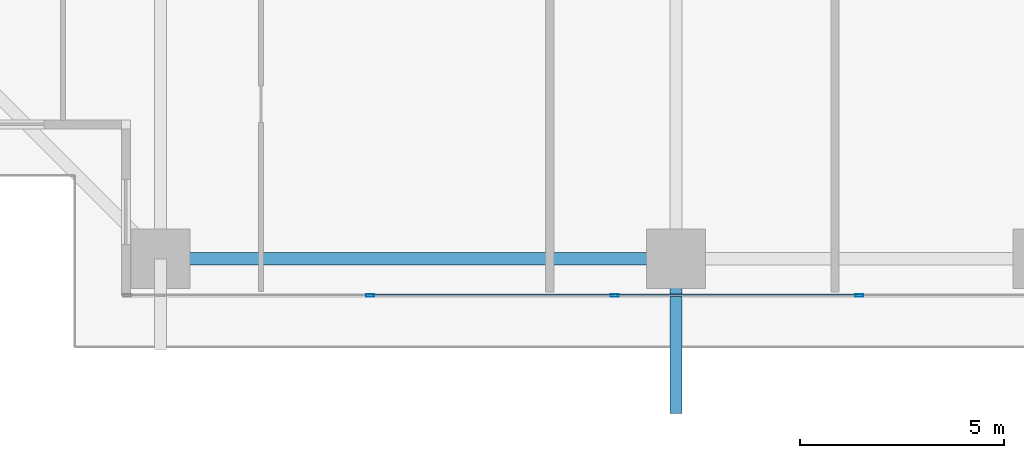
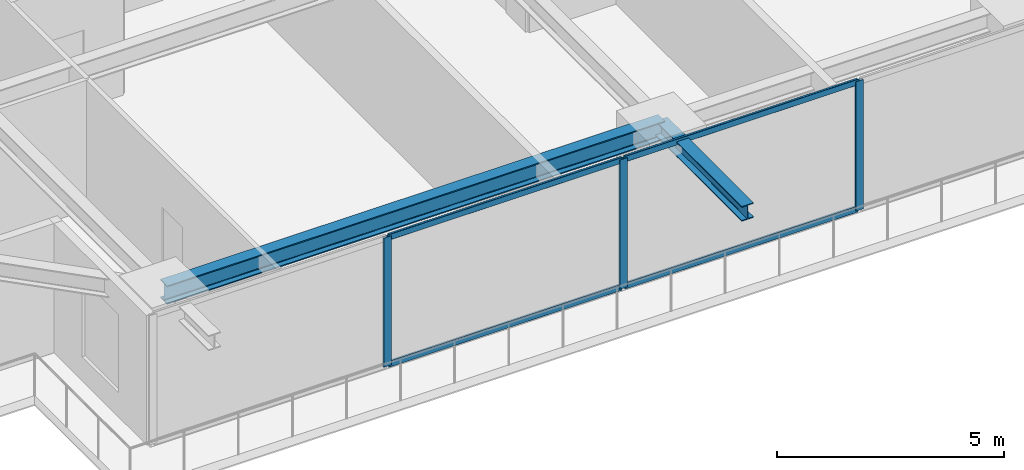
# One storey, part 4 of 35: 7 members, 2 beams, 1 element without a shape of its own.
"""IFC4 building model written with IfcOpenShell, lengths in metres."""

from ifc_helpers import new_model, si_unit, direction, frame, origin, origin_2d, place, context, subcontext, project, spatial, hollow_rectangle, i_section, extrude, source, transform, mapped, material, layer, layer_set, material_profile, profile_set, type_object, element, aggregate, save


model = new_model("IFC4")

# Units and contexts
model_context = context("Model", 3, precision=1e-05, world=origin(), true_north=direction((0.0, 1.0)))
body_context = subcontext(model_context, "Body", "Model", "MODEL_VIEW")
ifc_project = project(units=[si_unit("LENGTHUNIT", "METRE"), si_unit("AREAUNIT", "SQUARE_METRE"), si_unit("VOLUMEUNIT", "CUBIC_METRE"), si_unit("PLANEANGLEUNIT", "RADIAN"), si_unit("MASSUNIT", "GRAM", prefix="KILO")], contexts=[model_context])

# Site, building, storey
site_placement = place(None, origin())
site = spatial("IfcSite", under=ifc_project, at=site_placement, CompositionType="ELEMENT")
building_placement = place(site_placement, origin())
building = spatial("IfcBuilding", under=site, at=building_placement, Name="Serunith Strait Residences", CompositionType="ELEMENT")
storey_placement = place(building_placement, frame((0.0, 0.0, 56.699951171875)))
storey = spatial("IfcBuildingStorey", under=building, at=storey_placement, Name="L13", CompositionType="ELEMENT", Elevation=56.699951171875)

# Beams
ifc_material_1 = material(Name="Steel S355J2", Category="steel")
ifc_material_profile_1 = material_profile(ifc_material_1, i_section(OverallWidth=0.300048828125, OverallDepth=0.5, WebThickness=0.014404296875, FlangeThickness=0.028076171875, FilletRadius=0.027099609375, at=origin_2d()), Name="HEB 500")
ifc_profile_set_1 = profile_set([ifc_material_profile_1], Name="Steel S355J2")
beam_type_1 = type_object("IfcBeamType", Name="BM-HEB500", PredefinedType="BEAM", material=ifc_profile_set_1)
shared_shape_1 = source(origin(), body_context, "Body", "SweptSolid", [
    extrude(i_section(OverallWidth=0.300048828125, OverallDepth=0.5, WebThickness=0.014404296875, FlangeThickness=0.028076171875, FilletRadius=0.027099609375, at=origin_2d()), origin(), (0.0, 0.0, 1.0), 12.64990234375),
])
beam_1_placement = place(storey_placement, frame((15.25, 1.10009765625, 3.237060546875), z_axis=(1.0, 0.0, 0.0), x_axis=(0.0, 1.0, 0.0)))
element("IfcBeam", 1, at=beam_1_placement, inside=storey, type_object=beam_type_1, Name="L13 Perimeter Ring Beam 01", PredefinedType="BEAM", context=body_context, shape_type="MappedRepresentation", body=[
    mapped(shared_shape_1, transform((0.0, 0.0, 0.0), scale=1.0)),
])
ifc_material_profile_2 = material_profile(ifc_material_1, i_section(OverallWidth=0.300048828125, OverallDepth=0.39990234375, WebThickness=0.013427734375, FlangeThickness=0.02392578125, FilletRadius=0.027099609375, at=origin_2d()), Name="HEB 400")
ifc_profile_set_2 = profile_set([ifc_material_profile_2], Name="Steel S355J2")
beam_type_2 = type_object("IfcBeamType", Name="BM-HEB400", PredefinedType="BEAM", material=ifc_profile_set_2)
shared_shape_2 = source(origin(), body_context, "Body", "SweptSolid", [
    extrude(i_section(OverallWidth=0.300048828125, OverallDepth=0.39990234375, WebThickness=0.013427734375, FlangeThickness=0.02392578125, FilletRadius=0.027099609375, at=origin_2d()), origin(), (0.0, 0.0, 1.0), 3.800048828125),
])
beam_2_placement = place(storey_placement, frame((27.89990234375, 1.10009765625, 3.257080078125), z_axis=(0.0, -1.0, 0.0), x_axis=(1.0, 0.0, 0.0)))
element("IfcBeam", 2, at=beam_2_placement, inside=storey, type_object=beam_type_2, Name="L14 Cantilevered Balcony Rib TC-S2", PredefinedType="BEAM", context=body_context, shape_type="MappedRepresentation", body=[
    mapped(shared_shape_2, transform((0.0, 0.0, 0.0), scale=1.0)),
])

# Curtain wall, members
ifc_material_2 = material(Name="Pale-Champagne Anodised Aluminium", Category="aluminium")
ifc_layer = layer(ifc_material_2, 0.199951171875, Name="Pale-Champagne Anodised Aluminium")
ifc_layer_set = layer_set([ifc_layer], Name="Pale-Champagne Anodised Aluminium")
curtain_wall_type = type_object("IfcCurtainWallType", Name="CW-SYS1", PredefinedType="NOTDEFINED", material=ifc_layer_set)
curtain_wall_placement = place(storey_placement, origin())
curtain_wall = element("IfcCurtainWall", 3, at=curtain_wall_placement, inside=storey, type_object=curtain_wall_type, Name="L13 S Unitised Fritted Curtain Wall", PredefinedType="NOTDEFINED")
ifc_material_profile_3 = material_profile(ifc_material_2, hollow_rectangle(XDim=0.070068359375, YDim=0.199951171875, WallThickness=0.00390625, InnerFilletRadius=0.006103515625, OuterFilletRadius=0.010009765625, at=origin_2d()), Name="ALU 200x70x4")
ifc_profile_set_3 = profile_set([ifc_material_profile_3], Name="Pale-Champagne Anodised Aluminium")
member_type_1 = type_object("IfcMemberType", Name="CW-SYS1-MULL", PredefinedType="MULLION", material=ifc_profile_set_3)
shared_shape_3 = source(origin(), body_context, "Body", "SweptSolid", [
    extrude(hollow_rectangle(XDim=0.070068359375, YDim=0.199951171875, WallThickness=0.00390625, InnerFilletRadius=0.006103515625, OuterFilletRadius=0.010009765625, at=origin_2d()), origin(), (0.0, 0.0, 1.0), 3.47509765625),
])
member_1_placement = place(storey_placement, frame((20.39990234375, 0.199951171875, 0.0), z_axis=(0.0, 0.0, 1.0), x_axis=(0.0, 1.0, 0.0)))
member_1 = element("IfcMember", 4, at=member_1_placement, type_object=member_type_1, Name="CW-1 mullion 2", PredefinedType="MULLION", context=body_context, shape_type="MappedRepresentation", body=[
    mapped(shared_shape_3, transform((0.0, 0.0, 0.0), scale=1.0)),
])
member_2_placement = place(storey_placement, frame((26.39990234375, 0.199951171875, 0.0), z_axis=(0.0, 0.0, 1.0), x_axis=(0.0, 1.0, 0.0)))
member_2 = element("IfcMember", 5, at=member_2_placement, type_object=member_type_1, Name="CW-1 mullion 3", PredefinedType="MULLION", context=body_context, shape_type="MappedRepresentation", body=[
    mapped(shared_shape_3, transform((0.0, 0.0, 0.0), scale=1.0)),
])
member_3_placement = place(storey_placement, frame((32.39990234375, 0.199951171875, 0.0), z_axis=(0.0, 0.0, 1.0), x_axis=(0.0, 1.0, 0.0)))
member_3 = element("IfcMember", 6, at=member_3_placement, type_object=member_type_1, Name="CW-1 mullion 4", PredefinedType="MULLION", context=body_context, shape_type="MappedRepresentation", body=[
    mapped(shared_shape_3, transform((0.0, 0.0, 0.0), scale=1.0)),
])
ifc_material_profile_4 = material_profile(ifc_material_2, hollow_rectangle(XDim=0.06005859375, YDim=0.159912109375, WallThickness=0.00341796875, InnerFilletRadius=0.00537109375, OuterFilletRadius=0.0087890625, at=origin_2d()), Name="ALU 160x60x3.5")
ifc_profile_set_4 = profile_set([ifc_material_profile_4], Name="Pale-Champagne Anodised Aluminium")
member_type_2 = type_object("IfcMemberType", Name="CW-SYS1-TRAN", PredefinedType="USERDEFINED", material=ifc_profile_set_4)
shared_shape_4 = source(origin(), body_context, "Body", "SweptSolid", [
    extrude(hollow_rectangle(XDim=0.06005859375, YDim=0.159912109375, WallThickness=0.00341796875, InnerFilletRadius=0.00537109375, OuterFilletRadius=0.0087890625, at=origin_2d()), origin(), (0.0, 0.0, 1.0), 5.929931640625),
])
member_4_placement = place(storey_placement, frame((20.43505859375, 0.199951171875, 0.030029296875), z_axis=(1.0, 0.0, 0.0), x_axis=(0.0, 1.0, 0.0)))
member_4 = element("IfcMember", 7, at=member_4_placement, type_object=member_type_2, Name="CW-1 transom 2.1", ObjectType="TRANSOM", PredefinedType="USERDEFINED", context=body_context, shape_type="MappedRepresentation", body=[
    mapped(shared_shape_4, transform((0.0, 0.0, 0.0), scale=1.0)),
])
member_5_placement = place(storey_placement, frame((20.43505859375, 0.199951171875, 3.445068359375), z_axis=(1.0, 0.0, 0.0), x_axis=(0.0, 1.0, 0.0)))
member_5 = element("IfcMember", 8, at=member_5_placement, type_object=member_type_2, Name="CW-1 transom 2.2", ObjectType="TRANSOM", PredefinedType="USERDEFINED", context=body_context, shape_type="MappedRepresentation", body=[
    mapped(shared_shape_4, transform((0.0, 0.0, 0.0), scale=1.0)),
])
member_6_placement = place(storey_placement, frame((26.43505859375, 0.199951171875, 0.030029296875), z_axis=(1.0, 0.0, 0.0), x_axis=(0.0, 1.0, 0.0)))
member_6 = element("IfcMember", 9, at=member_6_placement, type_object=member_type_2, Name="CW-1 transom 3.1", ObjectType="TRANSOM", PredefinedType="USERDEFINED", context=body_context, shape_type="MappedRepresentation", body=[
    mapped(shared_shape_4, transform((0.0, 0.0, 0.0), scale=1.0)),
])
member_7_placement = place(storey_placement, frame((26.43505859375, 0.199951171875, 3.445068359375), z_axis=(1.0, 0.0, 0.0), x_axis=(0.0, 1.0, 0.0)))
member_7 = element("IfcMember", 10, at=member_7_placement, type_object=member_type_2, Name="CW-1 transom 3.2", ObjectType="TRANSOM", PredefinedType="USERDEFINED", context=body_context, shape_type="MappedRepresentation", body=[
    mapped(shared_shape_4, transform((0.0, 0.0, 0.0), scale=1.0)),
])
aggregate(curtain_wall, [member_1, member_2, member_3, member_4, member_5, member_6, member_7])

save(model, "model.ifc")
